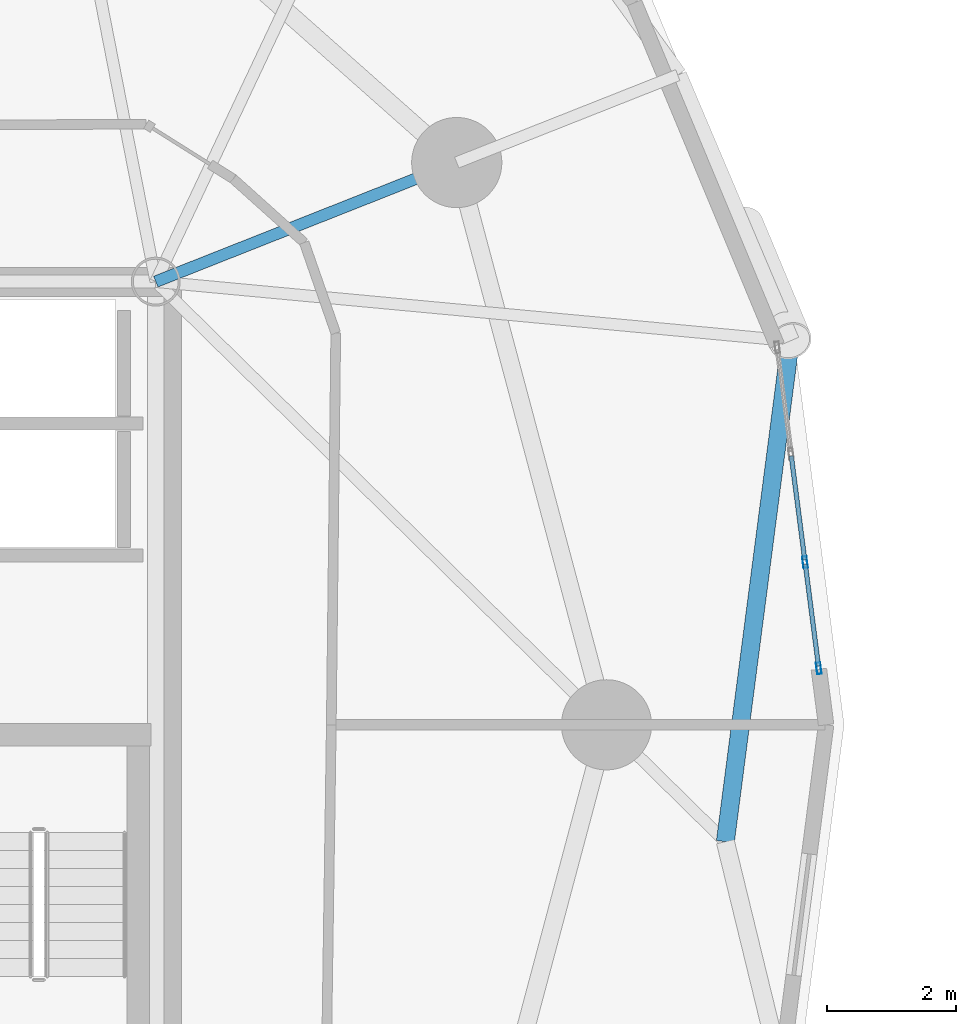
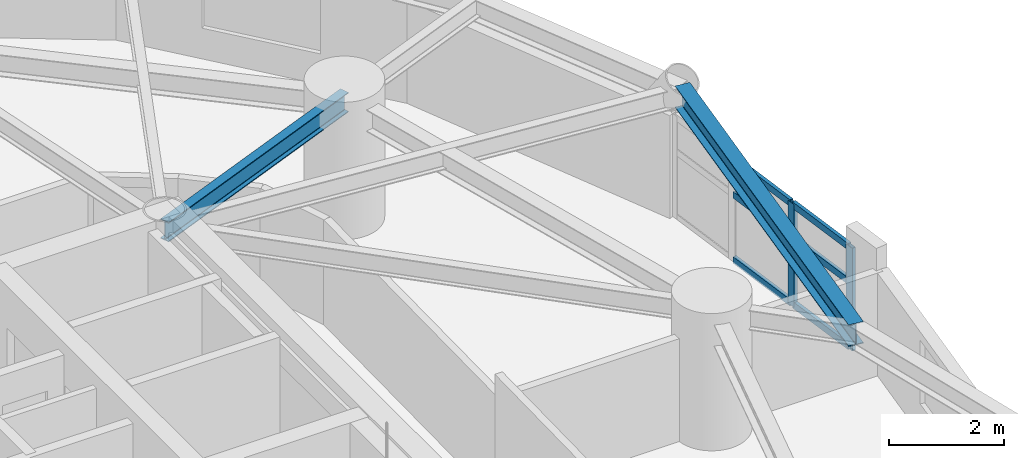
# One storey, part 2 of 16: 8 members, 2 beams, 1 element without a shape of its own.
"""IFC4 building model written with IfcOpenShell, lengths in metres."""

from ifc_helpers import new_model, si_unit, direction, frame, origin, origin_2d, place, context, subcontext, project, spatial, hollow_rectangle, i_section, extrude, material, layer, layer_set, material_profile, profile_set, type_object, element, aggregate, save


model = new_model("IFC4")

# Units and contexts
model_context = context("Model", 3, precision=1e-05, world=origin(), true_north=direction((0.0, 1.0)))
body_context = subcontext(model_context, "Body", "Model", "MODEL_VIEW")
ifc_project = project(units=[si_unit("LENGTHUNIT", "METRE"), si_unit("AREAUNIT", "SQUARE_METRE"), si_unit("VOLUMEUNIT", "CUBIC_METRE"), si_unit("PLANEANGLEUNIT", "RADIAN"), si_unit("MASSUNIT", "GRAM", prefix="KILO")], contexts=[model_context])

# Site, building, storey
site_placement = place(None, origin())
site = spatial("IfcSite", under=ifc_project, at=site_placement, CompositionType="ELEMENT")
building_placement = place(site_placement, origin())
building = spatial("IfcBuilding", under=site, at=building_placement, Name="Cununo Teusaquillo Station Towers", CompositionType="ELEMENT")
storey_placement = place(building_placement, frame((0.0, 0.0, 73.06005859375)))
storey = spatial("IfcBuildingStorey", under=building, at=storey_placement, Name="L22", CompositionType="ELEMENT", Elevation=73.06005859375)

# Beams
ifc_material_1 = material(Name="Steel ASTM A572 Grade 50", Category="steel")
ifc_material_profile_1 = material_profile(ifc_material_1, i_section(OverallWidth=0.180908203125, OverallDepth=0.4169921875, WebThickness=0.010986328125, FlangeThickness=0.018310546875, FilletRadius=0.012939453125, at=origin_2d()), Name="W16X57")
ifc_profile_set_1 = profile_set([ifc_material_profile_1], Name="Steel ASTM A572 Grade 50")
beam_type_1 = type_object("IfcBeamType", Name="BM-RAD-G2", PredefinedType="BEAM", material=ifc_profile_set_1)
beam_1_placement = place(storey_placement, frame((21.675048828125, 31.3798828125, 2.46142578125), z_axis=(0.929864104313, 0.367903176814, 0.0), x_axis=(-0.367903176814, 0.929864104313, 0.0)))
element("IfcBeam", 1, at=beam_1_placement, inside=storey, type_object=beam_type_1, Name="L22 Tower A Radial Girder 02A", PredefinedType="BEAM", context=body_context, shape_type="SweptSolid", body=[
    extrude(i_section(OverallWidth=0.180908203125, OverallDepth=0.4169921875, WebThickness=0.010986328125, FlangeThickness=0.018310546875, FilletRadius=0.012939453125, at=origin_2d()), origin(), (0.0, 0.0, 1.0), 5.02490234375),
])
ifc_material_2 = material(Name="Steel ASTM A572 Grade 50", Category="steel")
ifc_material_profile_2 = material_profile(ifc_material_2, i_section(OverallWidth=0.280029296875, OverallDepth=0.462890625, WebThickness=0.0107421875, FlangeThickness=0.017333984375, FilletRadius=0.013916015625, at=origin_2d()), Name="W18X76")
ifc_profile_set_2 = profile_set([ifc_material_profile_2], Name="Steel ASTM A572 Grade 50")
beam_type_2 = type_object("IfcBeamType", Name="BM-RING-Z2", PredefinedType="SPANDREL", material=ifc_profile_set_2)
beam_2_placement = place(storey_placement, frame((30.51708984375, 22.685791015625, 2.4384765625), z_axis=(0.12888124113, 0.991660035337, 0.0), x_axis=(-0.991660035337, 0.12888124113, 0.0)))
element("IfcBeam", 2, at=beam_2_placement, inside=storey, type_object=beam_type_2, Name="L22 Tower A Spandrel Ring Beam 01", PredefinedType="SPANDREL", context=body_context, shape_type="SweptSolid", body=[
    extrude(i_section(OverallWidth=0.280029296875, OverallDepth=0.462890625, WebThickness=0.0107421875, FlangeThickness=0.017333984375, FilletRadius=0.013916015625, at=origin_2d()), origin(), (0.0, 0.0, 1.0), 7.840576171875),
])

# Curtain wall, members
ifc_material_3 = material(Name="Ceramic-fritted dark low-E double glazing", Category="glass")
ifc_layer = layer(ifc_material_3, 0.179931640625)
ifc_layer_set = layer_set([ifc_layer], Name="Ceramic-fritted dark low-E double glazing")
curtain_wall_type = type_object("IfcCurtainWallType", Name="CW-SYS-04", PredefinedType="USERDEFINED", material=ifc_layer_set)
curtain_wall_placement = place(storey_placement, origin())
curtain_wall = element("IfcCurtainWall", 3, at=curtain_wall_placement, inside=storey, type_object=curtain_wall_type, Name="L22 Tower A Facade Curtain Wall C00", ObjectType="FRITTED GLAZING", PredefinedType="USERDEFINED")
ifc_material_4 = material(Name="Anodised dark bronze aluminium EN AW-6063-T6", Category="aluminium")
ifc_material_profile_3 = material_profile(ifc_material_4, hollow_rectangle(XDim=0.070068359375, YDim=0.179931640625, WallThickness=0.00390625, at=origin_2d()), Name="CW-MULL-70x180")
ifc_profile_set_3 = profile_set([ifc_material_profile_3], Name="Anodised dark bronze aluminium EN AW-6063-T6")
member_type_1 = type_object("IfcMemberType", Name="CWM-180", PredefinedType="MULLION", material=ifc_profile_set_3)
member_1_placement = place(storey_placement, frame((31.754150390625, 27.0263671875, 0.0), z_axis=(0.0, 0.0, 1.0), x_axis=(0.991730764367, 0.128335852387, 0.0)))
member_1 = element("IfcMember", 4, at=member_1_placement, type_object=member_type_1, Name="CW-04 mullion 3", PredefinedType="MULLION", context=body_context, shape_type="SweptSolid", body=[
    extrude(hollow_rectangle(XDim=0.070068359375, YDim=0.179931640625, WallThickness=0.00390625, at=origin_2d()), origin(), (0.0, 0.0, 1.0), 2.178955078125),
])
member_2_placement = place(storey_placement, frame((31.967529296875, 25.377685546875, 0.0), z_axis=(0.0, 0.0, 1.0), x_axis=(0.991730764367, 0.128335852387, 0.0)))
member_2 = element("IfcMember", 5, at=member_2_placement, type_object=member_type_1, Name="CW-04 mullion 4", PredefinedType="MULLION", context=body_context, shape_type="SweptSolid", body=[
    extrude(hollow_rectangle(XDim=0.070068359375, YDim=0.179931640625, WallThickness=0.00390625, at=origin_2d()), origin(), (0.0, 0.0, 1.0), 2.178955078125),
])
ifc_material_5 = material(Name="Anodised dark bronze aluminium EN AW-6063-T6", Category="aluminium")
ifc_material_profile_4 = material_profile(ifc_material_5, hollow_rectangle(XDim=0.070068359375, YDim=0.139892578125, WallThickness=0.00390625, at=origin_2d()), Name="CW-TRAN-70x140")
ifc_profile_set_4 = profile_set([ifc_material_profile_4], Name="Anodised dark bronze aluminium EN AW-6063-T6")
member_type_2 = type_object("IfcMemberType", Name="CWT-140", PredefinedType="USERDEFINED", material=ifc_profile_set_4)
member_3_placement = place(storey_placement, frame((31.540771484375, 28.675048828125, 0.034912109375), z_axis=(0.128261686134, -0.991740359101, 0.0), x_axis=(0.991740359101, 0.128261686134, 0.0)))
member_3 = element("IfcMember", 6, at=member_3_placement, type_object=member_type_2, Name="CW-04 transom 2.1", ObjectType="TRANSOM", PredefinedType="USERDEFINED", context=body_context, shape_type="SweptSolid", body=[
    extrude(hollow_rectangle(XDim=0.070068359375, YDim=0.139892578125, WallThickness=0.00390625, at=origin_2d()), origin(), (0.0, 0.0, 1.0), 1.62744140625),
])
member_4_placement = place(storey_placement, frame((31.540771484375, 28.675048828125, 1.416015625), z_axis=(0.128261686134, -0.991740359101, 0.0), x_axis=(0.991740359101, 0.128261686134, 0.0)))
member_4 = element("IfcMember", 7, at=member_4_placement, type_object=member_type_2, Name="CW-04 transom 2.2", ObjectType="TRANSOM", PredefinedType="USERDEFINED", context=body_context, shape_type="SweptSolid", body=[
    extrude(hollow_rectangle(XDim=0.070068359375, YDim=0.139892578125, WallThickness=0.00390625, at=origin_2d()), origin(), (0.0, 0.0, 1.0), 1.62744140625),
])
member_5_placement = place(storey_placement, frame((31.540771484375, 28.675048828125, 2.14404296875), z_axis=(0.128261686134, -0.991740359101, 0.0), x_axis=(0.991740359101, 0.128261686134, 0.0)))
member_5 = element("IfcMember", 8, at=member_5_placement, type_object=member_type_2, Name="CW-04 transom 2.3", ObjectType="TRANSOM", PredefinedType="USERDEFINED", context=body_context, shape_type="SweptSolid", body=[
    extrude(hollow_rectangle(XDim=0.070068359375, YDim=0.139892578125, WallThickness=0.00390625, at=origin_2d()), origin(), (0.0, 0.0, 1.0), 1.62744140625),
])
member_6_placement = place(storey_placement, frame((31.758544921875, 26.99169921875, 0.034912109375), z_axis=(0.128316698748, -0.991733242774, 0.0), x_axis=(0.991733242774, 0.128316698748, 0.0)))
member_6 = element("IfcMember", 9, at=member_6_placement, type_object=member_type_2, Name="CW-04 transom 3.1", ObjectType="TRANSOM", PredefinedType="USERDEFINED", context=body_context, shape_type="SweptSolid", body=[
    extrude(hollow_rectangle(XDim=0.070068359375, YDim=0.139892578125, WallThickness=0.00390625, at=origin_2d()), origin(), (0.0, 0.0, 1.0), 1.592529296875),
])
member_7_placement = place(storey_placement, frame((31.758544921875, 26.99169921875, 1.416015625), z_axis=(0.128316698748, -0.991733242774, 0.0), x_axis=(0.991733242774, 0.128316698748, 0.0)))
member_7 = element("IfcMember", 10, at=member_7_placement, type_object=member_type_2, Name="CW-04 transom 3.2", ObjectType="TRANSOM", PredefinedType="USERDEFINED", context=body_context, shape_type="SweptSolid", body=[
    extrude(hollow_rectangle(XDim=0.070068359375, YDim=0.139892578125, WallThickness=0.00390625, at=origin_2d()), origin(), (0.0, 0.0, 1.0), 1.592529296875),
])
member_8_placement = place(storey_placement, frame((31.758544921875, 26.99169921875, 2.14404296875), z_axis=(0.128316698748, -0.991733242774, 0.0), x_axis=(0.991733242774, 0.128316698748, 0.0)))
member_8 = element("IfcMember", 11, at=member_8_placement, type_object=member_type_2, Name="CW-04 transom 3.3", ObjectType="TRANSOM", PredefinedType="USERDEFINED", context=body_context, shape_type="SweptSolid", body=[
    extrude(hollow_rectangle(XDim=0.070068359375, YDim=0.139892578125, WallThickness=0.00390625, at=origin_2d()), origin(), (0.0, 0.0, 1.0), 1.592529296875),
])
aggregate(curtain_wall, [member_1, member_2, member_3, member_4, member_5, member_6, member_7, member_8])

save(model, "model.ifc")
